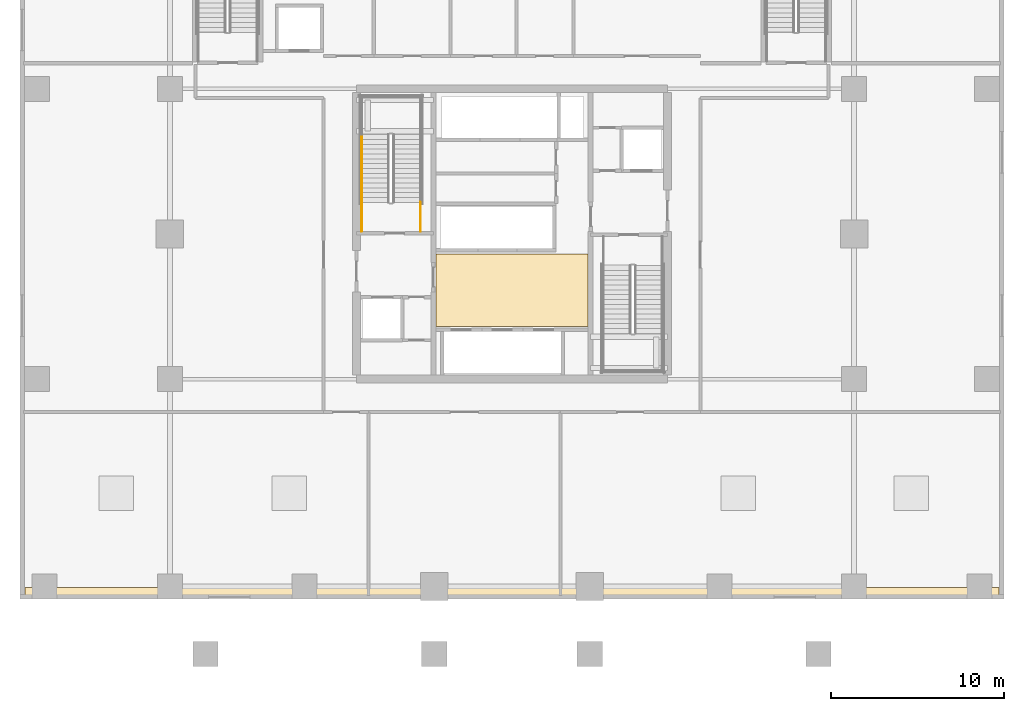
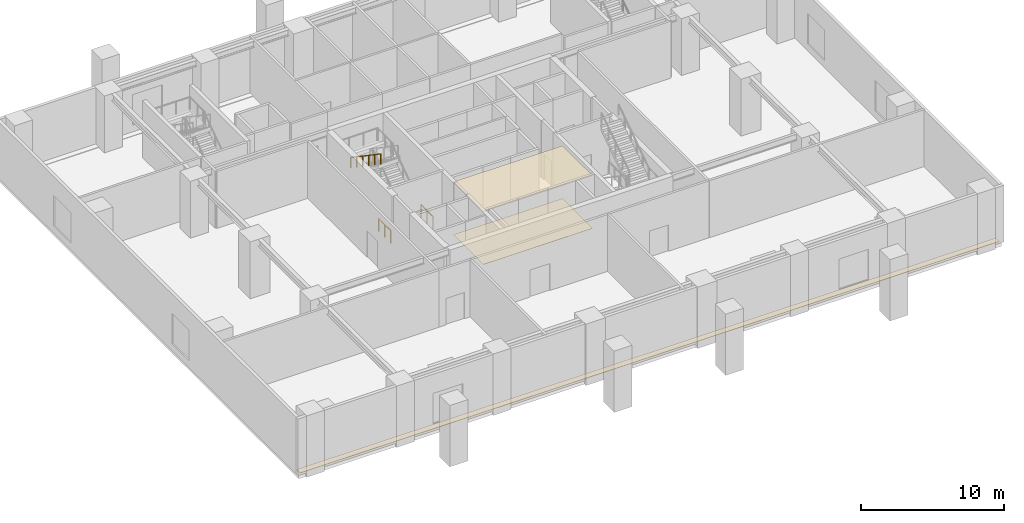
# One storey, part 9 of 12: 3 coverings, 3 railings.
"""IFC4 building model written with IfcOpenShell, lengths in metres."""

from ifc_helpers import new_model, si_unit, direction, frame, origin, origin_2d, place, context, subcontext, project, spatial, polyline, circle, outline, extrude, material, layer, layer_set, type_object, element, save


model = new_model("IFC4")

# Units and contexts
model_context = context("Model", 3, precision=1e-05, world=origin(), true_north=direction((0.0, 1.0)))
body_context = subcontext(model_context, "Body", "Model", "MODEL_VIEW")
ifc_project = project(units=[si_unit("LENGTHUNIT", "METRE"), si_unit("AREAUNIT", "SQUARE_METRE"), si_unit("VOLUMEUNIT", "CUBIC_METRE"), si_unit("PLANEANGLEUNIT", "RADIAN"), si_unit("MASSUNIT", "GRAM", prefix="KILO")], contexts=[model_context])

# Site, building, storey
site_placement = place(None, origin())
site = spatial("IfcSite", under=ifc_project, at=site_placement, CompositionType="ELEMENT")
building_placement = place(site_placement, origin())
building = spatial("IfcBuilding", under=site, at=building_placement, Name="Serunith Strait Residences", CompositionType="ELEMENT")
storey_placement = place(building_placement, frame((0.0, 0.0, 15.300048828125)))
storey = spatial("IfcBuildingStorey", under=building, at=storey_placement, Name="L03", CompositionType="ELEMENT", Elevation=15.300048828125)

# Coverings
ifc_material_1 = material(Name="Perforated acoustic gypsum ceiling tile")
ifc_layer_1 = layer(ifc_material_1, 0.02490234375, Name="Perforated acoustic gypsum ceiling tile")
ifc_layer_set_1 = layer_set([ifc_layer_1], Name="Perforated acoustic gypsum ceiling tile")
covering_type_1 = type_object("IfcCoveringType", Name="COV-CEIL-AC60", PredefinedType="CEILING", material=ifc_layer_set_1)
covering_1_placement = place(storey_placement, frame((0.0, 0.0, 4.5)))
element("IfcCovering", 1, at=covering_1_placement, inside=storey, type_object=covering_type_1, Name="L03 Lift Lobby Acoustic Ceiling", PredefinedType="CEILING", context=body_context, shape_type="SweptSolid", body=[
    extrude(outline(polyline([(28.0, 19.85009765625), (36.800048828125, 19.85009765625), (36.800048828125, 24.050048828125), (28.0, 24.050048828125), (28.0, 19.85009765625)])), origin(), (0.0, 0.0, 1.0), 0.02490234375),
])
ifc_material_2 = material(Name="Honed limestone terrazzo flooring", Category="masonry")
ifc_layer_2 = layer(ifc_material_2, 0.02001953125, Name="Honed limestone terrazzo flooring")
ifc_layer_set_2 = layer_set([ifc_layer_2], Name="Honed limestone terrazzo flooring")
covering_type_2 = type_object("IfcCoveringType", Name="COV-FLOOR-TER40", PredefinedType="FLOORING", material=ifc_layer_set_2)
covering_2_placement = place(storey_placement, origin())
element("IfcCovering", 2, at=covering_2_placement, inside=storey, type_object=covering_type_2, Name="L03 Lift Lobby Terrazzo Flooring", PredefinedType="FLOORING", context=body_context, shape_type="SweptSolid", body=[
    extrude(outline(polyline([(28.0, 19.85009765625), (36.800048828125, 19.85009765625), (36.800048828125, 24.050048828125), (28.0, 24.050048828125), (28.0, 19.85009765625)])), origin(), (0.0, 0.0, 1.0), 0.02001953125),
])
ifc_material_3 = material(Name="EPDM & Inverted Stone Ballast Waterproofing Membrane", Category="masonry")
ifc_layer_3 = layer(ifc_material_3, 0.034912109375, Name="EPDM & Inverted Stone Ballast Waterproofing Membrane")
ifc_layer_set_3 = layer_set([ifc_layer_3], Name="EPDM & Inverted Stone Ballast Waterproofing Membrane")
covering_type_3 = type_object("IfcCoveringType", Name="COV-ROOF-MEMB", PredefinedType="ROOFING", material=ifc_layer_set_3)
covering_3_placement = place(storey_placement, origin())
element("IfcCovering", 3, at=covering_3_placement, inside=storey, type_object=covering_type_3, Name="L03 Setback Roof Waterproofing Membrane 02", PredefinedType="ROOFING", context=body_context, shape_type="SweptSolid", body=[
    extrude(outline(polyline([(4.199951171875, 4.25), (60.60009765625, 4.25), (60.60009765625, 4.75), (4.199951171875, 4.75), (4.199951171875, 4.25)])), origin(), (0.0, 0.0, 1.0), 0.034912109375),
])

# Railings
ifc_material_4 = material(Name="Brushed stainless steel 316L", Category="steel")
railing_type_1 = type_object("IfcRailingType", Name="RLG-STAIR-GUARD", PredefinedType="BALUSTRADE", material=ifc_material_4)
for number, where, name in (
    (4, (27.10009765625, 25.35009765625, 0.0), "L03 ST-1 stair guard 8"),
    (5, (23.699951171875, 25.35009765625, 0.0), "L03 ST-1 stair guard 9"),
):
    element("IfcRailing", number, at=place(storey_placement, frame(where)), inside=storey, type_object=railing_type_1, Name=name, PredefinedType="BALUSTRADE", context=body_context, shape_type="SweptSolid", body=[
        extrude(circle(Radius=0.02392578125, at=origin_2d()), frame((0.0, 0.001953125, 1.076171875), z_axis=(0.0, 1.0, 0.0), x_axis=(-1.0, 0.0, 0.0)), (0.0, 0.0, 1.0), 1.676025390625),
        extrude(circle(Radius=0.02099609375, at=origin_2d()), origin(), (0.0, 0.0, 1.0), 1.050048828125),
        extrude(circle(Radius=0.02099609375, at=origin_2d()), frame((0.0, 0.83984375, 0.0)), (0.0, 0.0, 1.0), 1.050048828125),
        extrude(circle(Radius=0.02099609375, at=origin_2d()), frame((0.0, 1.679931640625, 0.0)), (0.0, 0.0, 1.0), 1.050048828125),
    ])
railing_type_2 = type_object("IfcRailingType", Name="RLG-STAIR-HR", PredefinedType="HANDRAIL", material=ifc_material_4)
railing_placement = place(storey_placement, frame((23.699951171875, 30.949951171875, 3.0400390625)))
element("IfcRailing", 6, at=railing_placement, inside=storey, type_object=railing_type_2, Name="L03 ST-1 stair handrail 2", PredefinedType="HANDRAIL", context=body_context, shape_type="SweptSolid", body=[
    extrude(circle(Radius=0.02392578125, at=origin_2d()), frame((0.0, -0.001708984375, 0.876953125), z_axis=(0.0, -0.827016801072, 0.562177205821), x_axis=(1.0, 0.0, 0.0)), (0.0, 0.0, 1.0), 5.074462890625),
    extrude(circle(Radius=0.02099609375, at=origin_2d()), origin(), (0.0, 0.0, 1.0), 0.849853515625),
    extrude(circle(Radius=0.02099609375, at=origin_2d()), frame((0.0, -0.840087890625, 0.571044921875)), (0.0, 0.0, 1.0), 0.849853515625),
    extrude(circle(Radius=0.02099609375, at=origin_2d()), frame((0.0, -1.679931640625, 1.14208984375)), (0.0, 0.0, 1.0), 0.849853515625),
    extrude(circle(Radius=0.02099609375, at=origin_2d()), frame((0.0, -2.52001953125, 1.712890625)), (0.0, 0.0, 1.0), 0.849853515625),
    extrude(circle(Radius=0.02099609375, at=origin_2d()), frame((0.0, -3.35986328125, 2.283935546875)), (0.0, 0.0, 1.0), 0.849853515625),
    extrude(circle(Radius=0.02099609375, at=origin_2d()), frame((0.0, -4.199951171875, 2.85498046875)), (0.0, 0.0, 1.0), 0.849853515625),
])

save(model, "model.ifc")
